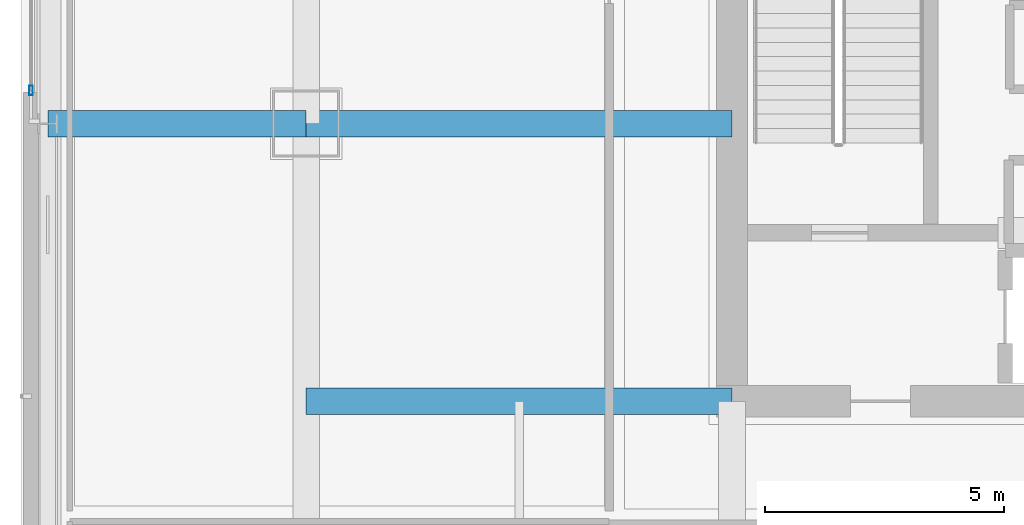
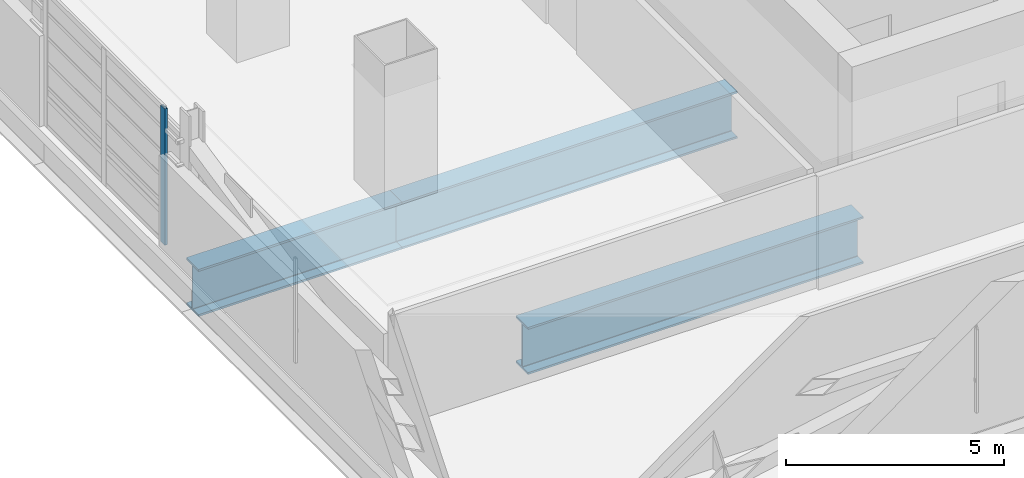
# One storey, part 2 of 32: 3 beams, 1 member, 1 element without a shape of its own.
"""IFC4 building model written with IfcOpenShell, lengths in metres."""

import ifcopenshell
import ifcopenshell.guid

model = None  # the IFC model being written
_history = None  # IfcOwnerHistory: only IFC2X3 demands one
_inside = {}  # id of a spatial element -> (the spatial element, [elements in it])
_under = {}  # id of a project, library or spatial element -> (it, [spatial elements below it])
_declared = {}  # id of a project -> (the project, [libraries it declares])
_typed = {}  # id of a type object -> (the type object, [elements of that type])
_made_of = {}  # id of a material, layer set ... -> (it, [elements and type objects made of it])


def new_model(schema):
    """Start an empty IFC model of exactly this schema.

    Asked for "IFC4X3", IfcOpenShell would pick the latest addendum, in which some entities
    have other attributes; the version numbers below select the first issue.
    IFC2X3 requires an IfcOwnerHistory on every rooted entity: one is made here for all.
    """
    global model, _history
    if schema == "IFC4X3":
        model = ifcopenshell.file(schema_version=(4, 3, 0, 0))
    else:
        model = ifcopenshell.file(schema=schema)
    _inside.clear()
    _under.clear()
    _declared.clear()
    _typed.clear()
    _made_of.clear()
    _history = None
    if model.schema == "IFC2X3":
        org = make("IfcOrganization", Name="unknown")
        user = make(
            "IfcPersonAndOrganization",
            ThePerson=make("IfcPerson", FamilyName="unknown"),
            TheOrganization=org,
        )
        app = make(
            "IfcApplication",
            ApplicationDeveloper=org,
            Version="unknown",
            ApplicationFullName="unknown",
            ApplicationIdentifier="unknown",
        )
        _history = make(
            "IfcOwnerHistory",
            OwningUser=user,
            OwningApplication=app,
            ChangeAction="ADDED",
            CreationDate=0,
        )
    return model


def make(cls, **values):
    """One entity of the class cls with the attributes given. An attribute that is None is left unset."""
    return model.create_entity(
        cls, **{name: value for name, value in values.items() if value is not None}
    )


def rooted(cls, **values):
    """An entity with a GlobalId (a new one), such as an element, a storey or a relation."""
    return make(cls, GlobalId=ifcopenshell.guid.new(), OwnerHistory=_history, **values)


def si_unit(unit_type, name, prefix=None):
    """IfcSIUnit, for example si_unit("LENGTHUNIT", "METRE", prefix="MILLI")."""
    return make("IfcSIUnit", UnitType=unit_type, Prefix=prefix, Name=name)


def assignment(units):
    """IfcUnitAssignment: the units of a project."""
    return None if units is None else make("IfcUnitAssignment", Units=units)


def point(xyz):
    """IfcCartesianPoint."""
    return None if xyz is None else make("IfcCartesianPoint", Coordinates=xyz)


def direction(xyz):
    """IfcDirection."""
    return None if xyz is None else make("IfcDirection", DirectionRatios=xyz)


def frame(location, z_axis=None, x_axis=None):
    """IfcAxis2Placement3D, a coordinate frame: its origin and axes. An axis left out is left unset."""
    return make(
        "IfcAxis2Placement3D",
        Location=point(location),
        Axis=direction(z_axis),
        RefDirection=direction(x_axis),
    )


def frame_2d(location, x_axis=None):
    """IfcAxis2Placement2D, a coordinate frame in the plane: its origin and x axis."""
    return make(
        "IfcAxis2Placement2D", Location=point(location), RefDirection=direction(x_axis)
    )


def origin():
    """The frame at (0, 0, 0) with its axes left unset."""
    return frame((0.0, 0.0, 0.0))


def origin_2d():
    """The frame at (0, 0) in the plane with its x axis left unset."""
    return frame_2d((0.0, 0.0))


def place(relative_to, where):
    """IfcLocalPlacement: puts the frame where relative to a parent placement (None: the world)."""
    return make(
        "IfcLocalPlacement", PlacementRelTo=relative_to, RelativePlacement=where
    )


def context(
    kind, dimensions, precision=None, world=None, true_north=None, identifier=None
):
    """IfcGeometricRepresentationContext, for example the 3D "Model" context."""
    return make(
        "IfcGeometricRepresentationContext",
        ContextIdentifier=identifier,
        ContextType=kind,
        CoordinateSpaceDimension=dimensions,
        Precision=precision,
        WorldCoordinateSystem=world,
        TrueNorth=true_north,
    )


def subcontext(parent, identifier, kind, view, scale=None):
    """IfcGeometricRepresentationSubContext, for example "Body" below "Model"."""
    return make(
        "IfcGeometricRepresentationSubContext",
        ContextIdentifier=identifier,
        ContextType=kind,
        ParentContext=parent,
        TargetScale=scale,
        TargetView=view,
    )


def project(units=None, contexts=None):
    """IfcProject with its units and contexts."""
    return rooted(
        "IfcProject",
        Name="project",
        RepresentationContexts=contexts,
        UnitsInContext=assignment(units),
    )


def spatial(cls, under=None, at=None, **own):
    """A site, building, storey or space (cls), placed at a placement, below another one or the project."""
    s = rooted(cls, ObjectPlacement=at, **own)
    if under is not None:
        _under.setdefault(under.id(), (under, []))[1].append(s)
    return s


def profile(cls, at=None, kind="AREA", **sizes):
    """A parametric profile (cls). Its sizes go by their IFC names, for example OverallWidth=200.0."""
    return make(cls, ProfileType=kind, Position=at, **sizes)


def hollow_rectangle(**sizes):
    """IfcRectangleHollowProfileDef."""
    return profile("IfcRectangleHollowProfileDef", **sizes)


def i_section(**sizes):
    """IfcIShapeProfileDef."""
    return profile("IfcIShapeProfileDef", **sizes)


def extrude(swept, where, along, depth):
    """IfcExtrudedAreaSolid: the profile swept, set in the frame where, extruded along a direction by depth."""
    return make(
        "IfcExtrudedAreaSolid",
        SweptArea=swept,
        Position=where,
        ExtrudedDirection=direction(along),
        Depth=depth,
    )


def shape(context_of_items, identifier, shape_type, items):
    """IfcShapeRepresentation: the items that make up one representation, for example the "Body"."""
    return make(
        "IfcShapeRepresentation",
        ContextOfItems=context_of_items,
        RepresentationIdentifier=identifier,
        RepresentationType=shape_type,
        Items=items,
    )


def material(Name=None, Category=None):
    """IfcMaterial."""
    return make("IfcMaterial", Name=Name, Category=Category)


def material_profile(
    of_material, cross_section, Name=None, Category=None, Priority=None
):
    """IfcMaterialProfile: a cross section and its material."""
    return make(
        "IfcMaterialProfile",
        Name=Name,
        Material=of_material,
        Profile=cross_section,
        Priority=Priority,
        Category=Category,
    )


def profile_set(profiles, Name=None, composite=None):
    """IfcMaterialProfileSet."""
    return make(
        "IfcMaterialProfileSet",
        Name=Name,
        MaterialProfiles=profiles,
        CompositeProfile=composite,
    )


def made_of(thing, what):
    """Note that an element or type object is made of a material, layer set ...; save() writes the relation."""
    if what is not None:
        _made_of.setdefault(what.id(), (what, []))[1].append(thing)
    return thing


def type_object(cls, material=None, **own):
    """A type object (cls), such as IfcWallType, which elements share."""
    return made_of(rooted(cls, **own), material)


def element(
    cls,
    number,
    at=None,
    inside=None,
    cuts=None,
    type_object=None,
    material=None,
    context=None,
    identifier="Body",
    shape_type=None,
    held_by="IfcProductDefinitionShape",
    body=None,
    shapes=None,
    **own,
):
    """One element of the class cls, such as IfcWall. Its Tag is "e" and its number.

    at: its placement. inside: the storey or other place that contains it. cuts: it is an
    opening in that element (IfcRelVoidsElement). A single representation is given by context,
    identifier, shape_type and body (its items); several are given by shapes. held_by: the class
    of the entity that holds the representations. save() writes the other relations.
    """
    e = rooted(cls, Tag="e%d" % number, ObjectPlacement=at, **own)
    if body is not None:
        shapes = [shape(context, identifier, shape_type, body)]
    if shapes is not None:
        e.Representation = make(held_by, Representations=shapes)
    if inside is not None:
        _inside.setdefault(inside.id(), (inside, []))[1].append(e)
    if cuts is not None:
        rooted(
            "IfcRelVoidsElement", RelatingBuildingElement=cuts, RelatedOpeningElement=e
        )
    if type_object is not None:
        _typed.setdefault(type_object.id(), (type_object, []))[1].append(e)
    return made_of(e, material)


def aggregate(whole, parts):
    """IfcRelAggregates: a whole, such as a stair, and the parts it consists of."""
    return rooted("IfcRelAggregates", RelatingObject=whole, RelatedObjects=parts)


def save(model, path):
    """Write the relations noted so far, then the file.

    IfcRelAggregates (storeys below a building ...), IfcRelContainedInSpatialStructure (elements
    in a storey), IfcRelDefinesByType, IfcRelAssociatesMaterial and IfcRelDeclares: one each for
    every whole, place, type object, material and project.
    """
    for whole, parts in _under.values():
        aggregate(whole, parts)
    for where, things in _inside.values():
        rooted(
            "IfcRelContainedInSpatialStructure",
            RelatedElements=things,
            RelatingStructure=where,
        )
    for kind, things in _typed.values():
        rooted("IfcRelDefinesByType", RelatedObjects=things, RelatingType=kind)
    for what, things in _made_of.values():
        rooted("IfcRelAssociatesMaterial", RelatedObjects=things, RelatingMaterial=what)
    for by, libraries in _declared.values():
        rooted("IfcRelDeclares", RelatingContext=by, RelatedDefinitions=libraries)
    model.write(path)


model = new_model("IFC4")

# Units and contexts
model_context = context("Model", 3, precision=1e-05, world=origin(), true_north=direction((0.0, 1.0)))
body_context = subcontext(model_context, "Body", "Model", "MODEL_VIEW")
ifc_project = project(units=[si_unit("LENGTHUNIT", "METRE"), si_unit("AREAUNIT", "SQUARE_METRE"), si_unit("VOLUMEUNIT", "CUBIC_METRE"), si_unit("PLANEANGLEUNIT", "RADIAN"), si_unit("MASSUNIT", "GRAM", prefix="KILO")], contexts=[model_context])

# Site, building, storey
site_placement = place(None, origin())
site = spatial("IfcSite", under=ifc_project, at=site_placement, CompositionType="ELEMENT")
building_placement = place(site_placement, origin())
building = spatial("IfcBuilding", under=site, at=building_placement, Name="Punatoya Terracotta Tower", CompositionType="ELEMENT")
storey_placement = place(building_placement, frame((0.0, 0.0, 139.800048828125)))
storey = spatial("IfcBuildingStorey", under=building, at=storey_placement, Name="L32", CompositionType="ELEMENT", Elevation=139.800048828125)

# Beams
ifc_material_1 = material(Name="Steel S460", Category="steel")
ifc_material_profile_1 = material_profile(ifc_material_1, i_section(OverallWidth=0.56005859375, OverallDepth=1.320068359375, WebThickness=0.035888671875, FlangeThickness=0.054931640625, FilletRadius=0.01806640625, at=origin_2d()))
ifc_profile_set_1 = profile_set([ifc_material_profile_1], Name="Steel S460")
beam_type = type_object("IfcBeamType", Name="BM-TG-BLK", PredefinedType="BEAM", material=ifc_profile_set_1)
for number, where, z_axis, x_axis, name in (
    (1, (-19.10009765625, -9.199951171875, -0.93994140625), (1.0, 0.0, 0.0), (0.0, 1.0, 0.0), "BM-L32-PR-WS"),
    (2, (-19.10009765625, -3.39990234375, -0.93994140625), (1.0, 0.0, 0.0), (0.0, 1.0, 0.0), "BM-L32-PR-WD"),
):
    element("IfcBeam", number, at=place(storey_placement, frame(where, z_axis=z_axis, x_axis=x_axis)), inside=storey, type_object=beam_type, Name=name, PredefinedType="BEAM", context=body_context, shape_type="SweptSolid", body=[
        extrude(i_section(OverallWidth=0.56005859375, OverallDepth=1.320068359375, WebThickness=0.035888671875, FlangeThickness=0.054931640625, FilletRadius=0.01806640625, at=origin_2d()), origin(), (0.0, 0.0, 1.0), 8.900146484375),
    ])
beam_placement = place(storey_placement, frame((-24.5, -3.39990234375, -0.93994140625), z_axis=(1.0, 0.0, 0.0), x_axis=(0.0, 1.0, 0.0)))
element("IfcBeam", 3, at=beam_placement, inside=storey, type_object=beam_type, Name="BM-L32-CANT-W2", PredefinedType="BEAM", context=body_context, shape_type="SweptSolid", body=[
    extrude(i_section(OverallWidth=0.56005859375, OverallDepth=1.320068359375, WebThickness=0.035888671875, FlangeThickness=0.054931640625, FilletRadius=0.01806640625, at=origin_2d()), origin(), (0.0, 0.0, 1.0), 5.39990234375),
])

# Curtain wall, member
ifc_material_2 = material(Name="Aluminium 6063-T6 + Double Low-E Glass", Category="aluminium")
curtain_wall_type = type_object("IfcCurtainWallType", Name="CW-M2", PredefinedType="NOTDEFINED", material=ifc_material_2)
curtain_wall_placement = place(storey_placement, origin())
curtain_wall = element("IfcCurtainWall", 4, at=curtain_wall_placement, inside=storey, type_object=curtain_wall_type, Name="L32 Curtain Wall CW-L32-W13-1", PredefinedType="NOTDEFINED")
ifc_material_3 = material(Name="Aluminium 6063-T6", Category="aluminium")
ifc_material_profile_2 = material_profile(ifc_material_3, hollow_rectangle(XDim=0.072021484375, YDim=0.195068359375, WallThickness=0.00439453125, at=origin_2d()))
ifc_profile_set_2 = profile_set([ifc_material_profile_2], Name="Aluminium 6063-T6")
member_type = type_object("IfcMemberType", Name="CW-MUL-M2", PredefinedType="MULLION", material=ifc_profile_set_2)
member_placement = place(storey_placement, frame((-24.85009765625, -2.705078125, 0.0), z_axis=(0.0, 0.0, 1.0), x_axis=(1.0, 0.0, 0.0)))
member = element("IfcMember", 5, at=member_placement, type_object=member_type, Name="CW-L32-W13-1 Mullion 02", PredefinedType="MULLION", context=body_context, shape_type="SweptSolid", body=[
    extrude(hollow_rectangle(XDim=0.072021484375, YDim=0.195068359375, WallThickness=0.00439453125, at=origin_2d()), origin(), (0.0, 0.0, 1.0), 3.829833984375),
])
aggregate(curtain_wall, [member])

save(model, "model.ifc")
